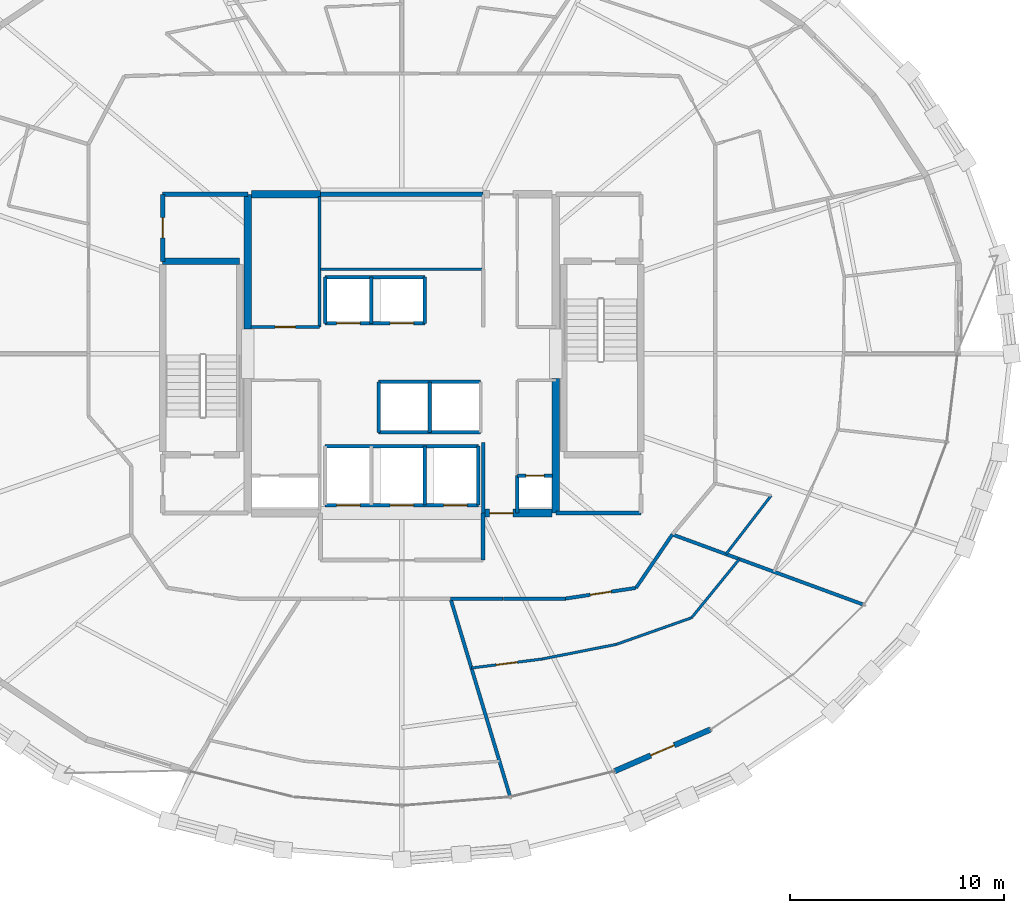
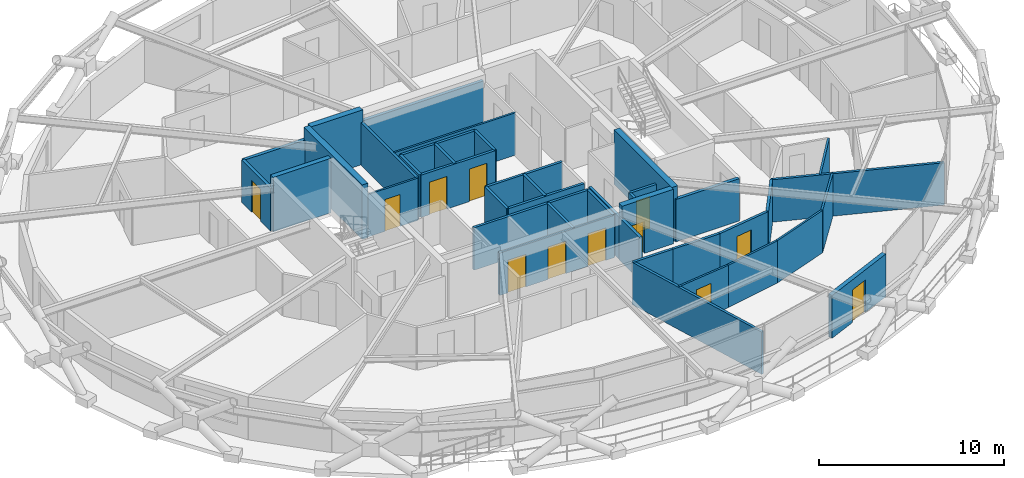
# One storey, part 15 of 21: 41 walls, 12 doors, 12 openings.
"""IFC4 building model written with IfcOpenShell, lengths in metres."""

from ifc_helpers import new_model, si_unit, direction, frame, frame_2d, origin, place, context, subcontext, project, spatial, rectangle, extrude, material, layer, layer_set, type_object, element, fill, save


model = new_model("IFC4")

# Units and contexts
model_context = context("Model", 3, precision=1e-05, world=origin(), true_north=direction((0.0, 1.0)))
body_context = subcontext(model_context, "Body", "Model", "MODEL_VIEW")
ifc_project = project(units=[si_unit("LENGTHUNIT", "METRE"), si_unit("AREAUNIT", "SQUARE_METRE"), si_unit("VOLUMEUNIT", "CUBIC_METRE"), si_unit("PLANEANGLEUNIT", "RADIAN"), si_unit("MASSUNIT", "GRAM", prefix="KILO")], contexts=[model_context])

# Site, building, storey
site_placement = place(None, origin())
site = spatial("IfcSite", under=ifc_project, at=site_placement, CompositionType="ELEMENT")
building_placement = place(site_placement, origin())
building = spatial("IfcBuilding", under=site, at=building_placement, Name="Veldorina Hangang Commons", CompositionType="ELEMENT")
storey_placement = place(building_placement, frame((0.0, 0.0, 135.199951171875)))
storey = spatial("IfcBuildingStorey", under=building, at=storey_placement, Name="L34", CompositionType="ELEMENT", Elevation=135.199951171875)

# Walls
ifc_material_1 = material(Name="Concrete C60/75", Category="concrete")
ifc_layer_1 = layer(ifc_material_1, 0.360107421875)
ifc_layer_set_1 = layer_set([ifc_layer_1], Name="Concrete C60/75")
wall_type_1 = type_object("IfcWallType", Name="CW-RC360-C60", PredefinedType="SHEAR", material=ifc_layer_set_1)
for number, where, z_axis, x_axis, name in (
    (1, (24.800048828125, 25.14990234375, 0.0), (0.0, 0.0, 1.0), (0.0, 1.0, 0.0), "L34 W north core shear wall"),
    (2, (39.199951171875, 16.550048828125, 0.0), (0.0, 0.0, 1.0), (0.0, 1.0, 0.0), "L34 E south core shear wall"),
):
    element("IfcWall", number, at=place(storey_placement, frame(where, z_axis=z_axis, x_axis=x_axis)), inside=storey, type_object=wall_type_1, Name=name, PredefinedType="SHEAR", context=body_context, shape_type="SweptSolid", body=[
        extrude(rectangle(XDim=6.300048828125, YDim=0.360107421875, at=frame_2d((3.14990234375, 0.0))), origin(), (0.0, 0.0, 1.0), 3.60009765625),
    ])

# Wall, opening, door
wall_1_placement = place(storey_placement, frame((35.800048828125, 16.550048828125, 0.0), z_axis=(0.0, 0.0, 1.0), x_axis=(1.0, 0.0, 0.0)))
wall_1 = element("IfcWall", 3, at=wall_1_placement, inside=storey, type_object=wall_type_1, Name="L34 south-east core shear wall", PredefinedType="SHEAR", context=body_context, shape_type="SweptSolid", body=[
    extrude(rectangle(XDim=3.219970703125, YDim=0.360107421875, at=frame_2d((1.60986328125, 0.0))), origin(), (0.0, 0.0, 1.0), 3.60009765625),
])
opening_1_placement = place(wall_1_placement, frame((0.300048828125, 0.0, 0.0)))
opening_1 = element("IfcOpeningElement", 4, at=opening_1_placement, cuts=wall_1, Name="Opening D-08", PredefinedType="OPENING", context=body_context, shape_type="SweptSolid", body=[
    extrude(rectangle(XDim=1.10009765625, YDim=2.10009765625, at=frame_2d((0.550048828125, 1.050048828125))), frame((0.0, 0.18994140625, 0.0), z_axis=(0.0, -1.0, 0.0), x_axis=(1.0, 0.0, 0.0)), (0.0, 0.0, 1.0), 0.380126953125),
])
ifc_material_2 = material(Name="Steel Fire-Rated Smoke Seal", Category="steel")
door_type_1 = type_object("IfcDoorType", Name="DR-FIRE-1100", OperationType="SINGLE_SWING_RIGHT", PredefinedType="DOOR", material=ifc_material_2)
door_1_placement = place(opening_1_placement, origin())
door_1 = element("IfcDoor", 5, at=door_1_placement, inside=storey, type_object=door_type_1, Name="L34 central lift lobby south corridor door", OperationType="SINGLE_SWING_RIGHT", OverallHeight=2.10009765625, OverallWidth=1.10009765625, PredefinedType="DOOR", context=body_context, shape_type="SweptSolid", body=[
    extrude(rectangle(XDim=1.10009765625, YDim=2.10009765625, at=frame_2d((0.550048828125, 1.050048828125))), frame((0.0, 0.02490234375, 0.0), z_axis=(0.0, -1.0, 0.0), x_axis=(1.0, 0.0, 0.0)), (0.0, 0.0, 1.0), 0.050048828125),
])
fill(opening_1, door_1)

# Wall
wall_2_placement = place(storey_placement, frame((24.97998046875, 31.449951171875, 0.0), z_axis=(0.0, 0.0, 1.0), x_axis=(1.0, 0.0, 0.0)))
element("IfcWall", 6, at=wall_2_placement, inside=storey, type_object=wall_type_1, Name="L34 north-west core shear wall", PredefinedType="SHEAR", context=body_context, shape_type="SweptSolid", body=[
    extrude(rectangle(XDim=3.219970703125, YDim=0.360107421875, at=frame_2d((1.60986328125, 0.0))), origin(), (0.0, 0.0, 1.0), 3.60009765625),
])

# Wall, opening, door
ifc_material_3 = material(Name="Stone Roman Travertine", Category="masonry")
ifc_layer_2 = layer(ifc_material_3, 0.260009765625)
ifc_layer_set_2 = layer_set([ifc_layer_2], Name="Stone Roman Travertine")
wall_type_2 = type_object("IfcWallType", Name="EW-LOGGIA-260", PredefinedType="STANDARD", material=ifc_layer_set_2)
wall_3_placement = place(storey_placement, frame((41.942626953125, 4.4775390625, 0.0), z_axis=(0.0, 0.0, 1.0), x_axis=(0.917072433644, 0.39872064337, 0.0)))
wall_3 = element("IfcWall", 7, at=wall_3_placement, inside=storey, type_object=wall_type_2, Name="L34 sky-garden loggia portal wall 26", PredefinedType="STANDARD", context=body_context, shape_type="SweptSolid", body=[
    extrude(rectangle(XDim=4.89794921875, YDim=0.260009765625, at=frame_2d((2.448974609375, 0.0))), origin(), (0.0, 0.0, 1.0), 2.820068359375),
])
opening_2_placement = place(wall_3_placement, frame((1.848876953125, 0.0, 0.0)))
opening_2 = element("IfcOpeningElement", 8, at=opening_2_placement, cuts=wall_3, Name="Opening BD-1200", PredefinedType="OPENING", context=body_context, shape_type="SweptSolid", body=[
    extrude(rectangle(XDim=1.199951171875, YDim=2.14990234375, at=frame_2d((0.60009765625, 1.074951171875))), frame((0.0, 0.14013671875, 0.0), z_axis=(0.0, -1.0, 0.0), x_axis=(1.0, 0.0, 0.0)), (0.0, 0.0, 1.0), 0.280029296875),
])
ifc_material_4 = material(Name="Glass Thermal Aluminium Frame", Category="aluminium")
door_type_2 = type_object("IfcDoorType", Name="DR-EXT-LOG1200", OperationType="SINGLE_SWING_LEFT", PredefinedType="DOOR", material=ifc_material_4)
door_2_placement = place(opening_2_placement, origin())
door_2 = element("IfcDoor", 9, at=door_2_placement, inside=storey, type_object=door_type_2, Name="L34 loggia glazed exterior door 26", OperationType="SINGLE_SWING_LEFT", OverallHeight=2.14990234375, OverallWidth=1.199951171875, PredefinedType="DOOR", context=body_context, shape_type="SweptSolid", body=[
    extrude(rectangle(XDim=1.199951171875, YDim=2.14990234375, at=frame_2d((0.60009765625, 1.074951171875))), frame((0.0, 0.02490234375, 0.0), z_axis=(0.0, -1.0, 0.0), x_axis=(1.0, 0.0, 0.0)), (0.0, 0.0, 1.0), 0.050048828125),
])
fill(opening_2, door_2)

# Walls
ifc_material_5 = material(Name="Concrete C50/60", Category="concrete")
ifc_layer_3 = layer(ifc_material_5, 0.300048828125)
ifc_layer_set_3 = layer_set([ifc_layer_3], Name="Concrete C50/60")
wall_type_3 = type_object("IfcWallType", Name="SW-STAIR-300", PredefinedType="SHEAR", material=ifc_layer_set_3)
wall_4_placement = place(storey_placement, frame((20.820068359375, 28.320068359375, 0.0), z_axis=(0.0, 0.0, 1.0), x_axis=(1.0, 0.0, 0.0)))
element("IfcWall", 10, at=wall_4_placement, inside=storey, type_object=wall_type_3, Name="L34 ST1 north stair shear wall", PredefinedType="SHEAR", context=body_context, shape_type="SweptSolid", body=[
    extrude(rectangle(XDim=3.599853515625, YDim=0.300048828125, at=frame_2d((1.7998046875, 0.0))), origin(), (0.0, 0.0, 1.0), 3.60009765625),
])
ifc_material_6 = material(Name="Gypsum Fire-Rated Twin Stud Wall", Category="gypsum")
ifc_layer_4 = layer(ifc_material_6, 0.159912109375)
ifc_layer_set_4 = layer_set([ifc_layer_4], Name="Gypsum Fire-Rated Twin Stud Wall")
wall_type_4 = type_object("IfcWallType", Name="WL-FIRE-160", PredefinedType="SOLIDWALL", material=ifc_layer_set_4)
wall_5_placement = place(storey_placement, frame((35.800048828125, 16.550048828125, 0.0), z_axis=(0.0, 0.0, 1.0), x_axis=(0.0, 1.0, 0.0)))
element("IfcWall", 11, at=wall_5_placement, inside=storey, type_object=wall_type_4, Name="L34 Lift passage SW wall 009", PredefinedType="SOLIDWALL", context=body_context, shape_type="SweptSolid", body=[
    extrude(rectangle(XDim=3.300048828125, YDim=0.159912109375, at=frame_2d((1.64990234375, 0.0))), origin(), (0.0, 0.0, 1.0), 2.800048828125),
])
wall_6_placement = place(storey_placement, frame((37.39990234375, 16.550048828125, 0.0), z_axis=(0.0, 0.0, 1.0), x_axis=(0.0, 1.0, 0.0)))
element("IfcWall", 12, at=wall_6_placement, inside=storey, type_object=wall_type_4, Name="L34 Lift passage SE stub 010", PredefinedType="SOLIDWALL", context=body_context, shape_type="SweptSolid", body=[
    extrude(rectangle(XDim=1.75, YDim=0.159912109375, at=frame_2d((0.875, 0.0))), origin(), (0.0, 0.0, 1.0), 2.800048828125),
])

# Wall, openings, doors
wall_7_placement = place(storey_placement, frame((28.419921875, 25.419921875, 0.0), z_axis=(0.0, 0.0, 1.0), x_axis=(1.0, 0.0, 0.0)))
wall_7 = element("IfcWall", 13, at=wall_7_placement, inside=storey, type_object=wall_type_4, Name="L34 Mid-high front shaft wall 015", PredefinedType="SOLIDWALL", context=body_context, shape_type="SweptSolid", body=[
    extrude(rectangle(XDim=4.66015625, YDim=0.159912109375, at=frame_2d((2.330078125, 0.0))), origin(), (0.0, 0.0, 1.0), 2.800048828125),
])
opening_3_placement = place(wall_7_placement, frame((0.530029296875, 0.0, 0.0)))
opening_3 = element("IfcOpeningElement", 14, at=opening_3_placement, cuts=wall_7, Name="Opening LD-01", PredefinedType="OPENING", context=body_context, shape_type="SweptSolid", body=[
    extrude(rectangle(XDim=1.10009765625, YDim=2.14990234375, at=frame_2d((0.550048828125, 1.074951171875))), frame((0.0, 0.08984375, 0.0), z_axis=(0.0, -1.0, 0.0), x_axis=(1.0, 0.0, 0.0)), (0.0, 0.0, 1.0), 0.179931640625),
])
opening_4_placement = place(wall_7_placement, frame((3.030029296875, 0.0, 0.0)))
opening_4 = element("IfcOpeningElement", 15, at=opening_4_placement, cuts=wall_7, Name="Opening LD-01", PredefinedType="OPENING", context=body_context, shape_type="SweptSolid", body=[
    extrude(rectangle(XDim=1.10009765625, YDim=2.14990234375, at=frame_2d((0.550048828125, 1.074951171875))), frame((0.0, 0.08984375, 0.0), z_axis=(0.0, -1.0, 0.0), x_axis=(1.0, 0.0, 0.0)), (0.0, 0.0, 1.0), 0.179931640625),
])
ifc_material_7 = material(Name="Stainless Steel Brushed Lift Door", Category="steel")
door_type_3 = type_object("IfcDoorType", Name="DR-LIFT-1100", OperationType="SLIDING_TO_LEFT", PredefinedType="DOOR", material=ifc_material_7)
door_3_placement = place(opening_3_placement, origin())
door_3 = element("IfcDoor", 16, at=door_3_placement, inside=storey, type_object=door_type_3, Name="L34 Lift PL-M1 landing door 006", OperationType="SLIDING_TO_RIGHT", OverallHeight=2.14990234375, OverallWidth=1.10009765625, PredefinedType="DOOR", context=body_context, shape_type="SweptSolid", body=[
    extrude(rectangle(XDim=1.10009765625, YDim=2.14990234375, at=frame_2d((0.550048828125, 1.074951171875))), frame((0.0, 0.02490234375, 0.0), z_axis=(0.0, -1.0, 0.0), x_axis=(1.0, 0.0, 0.0)), (0.0, 0.0, 1.0), 0.050048828125),
])
fill(opening_3, door_3)
door_4_placement = place(opening_4_placement, origin())
door_4 = element("IfcDoor", 17, at=door_4_placement, inside=storey, type_object=door_type_3, Name="L34 Lift PL-M2 landing door 007", OperationType="SLIDING_TO_RIGHT", OverallHeight=2.14990234375, OverallWidth=1.10009765625, PredefinedType="DOOR", context=body_context, shape_type="SweptSolid", body=[
    extrude(rectangle(XDim=1.10009765625, YDim=2.14990234375, at=frame_2d((0.550048828125, 1.074951171875))), frame((0.0, 0.02490234375, 0.0), z_axis=(0.0, -1.0, 0.0), x_axis=(1.0, 0.0, 0.0)), (0.0, 0.0, 1.0), 0.050048828125),
])
fill(opening_4, door_4)

# Walls
wall_8_placement = place(storey_placement, frame((28.419921875, 27.580078125, 0.0), z_axis=(0.0, 0.0, 1.0), x_axis=(1.0, 0.0, 0.0)))
element("IfcWall", 18, at=wall_8_placement, inside=storey, type_object=wall_type_4, Name="L34 Mid-high rear shaft wall 016", PredefinedType="SOLIDWALL", context=body_context, shape_type="SweptSolid", body=[
    extrude(rectangle(XDim=4.66015625, YDim=0.159912109375, at=frame_2d((2.330078125, 0.0))), origin(), (0.0, 0.0, 1.0), 2.800048828125),
])
for number, where, z_axis, x_axis, name in (
    (19, (28.419921875, 25.419921875, 0.0), (0.0, 0.0, 1.0), (0.0, 1.0, 0.0), "L34 PL-M1 west shaft wall 017"),
    (20, (30.580078125, 25.419921875, 0.0), (0.0, 0.0, 1.0), (0.0, 1.0, 0.0), "L34 PL-M1 east shaft wall 018"),
    (21, (33.080078125, 25.419921875, 0.0), (0.0, 0.0, 1.0), (0.0, 1.0, 0.0), "L34 PL-M2 east shaft wall 019"),
):
    element("IfcWall", number, at=place(storey_placement, frame(where, z_axis=z_axis, x_axis=x_axis)), inside=storey, type_object=wall_type_4, Name=name, PredefinedType="SOLIDWALL", context=body_context, shape_type="SweptSolid", body=[
        extrude(rectangle(XDim=2.16015625, YDim=0.159912109375, at=frame_2d((1.080078125, 0.0))), origin(), (0.0, 0.0, 1.0), 2.800048828125),
    ])
for number, where, z_axis, x_axis, name in (
    (22, (30.919921875, 22.679931640625, 0.0), (0.0, 0.0, 1.0), (1.0, 0.0, 0.0), "L34 Shuttle-high front shaft wall 020"),
    (23, (30.919921875, 20.320068359375, 0.0), (0.0, 0.0, 1.0), (1.0, 0.0, 0.0), "L34 Shuttle-high rear shaft wall 021"),
):
    element("IfcWall", number, at=place(storey_placement, frame(where, z_axis=z_axis, x_axis=x_axis)), inside=storey, type_object=wall_type_4, Name=name, PredefinedType="SOLIDWALL", context=body_context, shape_type="SweptSolid", body=[
        extrude(rectangle(XDim=4.760009765625, YDim=0.159912109375, at=frame_2d((2.3798828125, 0.0))), origin(), (0.0, 0.0, 1.0), 2.800048828125),
    ])
for number, where, z_axis, x_axis, name in (
    (24, (30.919921875, 20.320068359375, 0.0), (0.0, 0.0, 1.0), (0.0, 1.0, 0.0), "L34 SL-1 west shaft wall 022"),
    (25, (33.300048828125, 20.320068359375, 0.0), (0.0, 0.0, 1.0), (0.0, 1.0, 0.0), "L34 SL-1 east shaft wall 023"),
):
    element("IfcWall", number, at=place(storey_placement, frame(where, z_axis=z_axis, x_axis=x_axis)), inside=storey, type_object=wall_type_4, Name=name, PredefinedType="SOLIDWALL", context=body_context, shape_type="SweptSolid", body=[
        extrude(rectangle(XDim=2.35986328125, YDim=0.159912109375, at=frame_2d((1.179931640625, 0.0))), origin(), (0.0, 0.0, 1.0), 2.800048828125),
    ])

# Wall, openings, doors
wall_9_placement = place(storey_placement, frame((28.419921875, 16.919921875, 0.0), z_axis=(0.0, 0.0, 1.0), x_axis=(1.0, 0.0, 0.0)))
wall_9 = element("IfcWall", 26, at=wall_9_placement, inside=storey, type_object=wall_type_4, Name="L34 Emergency front shaft wall 025", PredefinedType="SOLIDWALL", context=body_context, shape_type="SweptSolid", body=[
    extrude(rectangle(XDim=7.16015625, YDim=0.159912109375, at=frame_2d((3.580078125, 0.0))), origin(), (0.0, 0.0, 1.0), 2.800048828125),
])
opening_5_placement = place(wall_9_placement, frame((0.530029296875, 0.0, 0.0)))
opening_5 = element("IfcOpeningElement", 27, at=opening_5_placement, cuts=wall_9, Name="Opening LD-03", PredefinedType="OPENING", context=body_context, shape_type="SweptSolid", body=[
    extrude(rectangle(XDim=1.10009765625, YDim=2.14990234375, at=frame_2d((0.550048828125, 1.074951171875))), frame((0.0, 0.08984375, 0.0), z_axis=(0.0, -1.0, 0.0), x_axis=(1.0, 0.0, 0.0)), (0.0, 0.0, 1.0), 0.179931640625),
])
opening_6_placement = place(wall_9_placement, frame((3.030029296875, 0.0, 0.0)))
opening_6 = element("IfcOpeningElement", 28, at=opening_6_placement, cuts=wall_9, Name="Opening LD-03", PredefinedType="OPENING", context=body_context, shape_type="SweptSolid", body=[
    extrude(rectangle(XDim=1.10009765625, YDim=2.14990234375, at=frame_2d((0.550048828125, 1.074951171875))), frame((0.0, 0.08984375, 0.0), z_axis=(0.0, -1.0, 0.0), x_axis=(1.0, 0.0, 0.0)), (0.0, 0.0, 1.0), 0.179931640625),
])
opening_7_placement = place(wall_9_placement, frame((5.530029296875, 0.0, 0.0)))
opening_7 = element("IfcOpeningElement", 29, at=opening_7_placement, cuts=wall_9, Name="Opening LD-03", PredefinedType="OPENING", context=body_context, shape_type="SweptSolid", body=[
    extrude(rectangle(XDim=1.10009765625, YDim=2.14990234375, at=frame_2d((0.550048828125, 1.074951171875))), frame((0.0, 0.08984375, 0.0), z_axis=(0.0, -1.0, 0.0), x_axis=(1.0, 0.0, 0.0)), (0.0, 0.0, 1.0), 0.179931640625),
])
ifc_material_8 = material(Name="Stainless Steel Firefighting Lift Door", Category="steel")
door_type_4 = type_object("IfcDoorType", Name="DR-LIFT-FF1100", OperationType="SLIDING_TO_RIGHT", PredefinedType="DOOR", material=ifc_material_8)
door_5_placement = place(opening_5_placement, origin())
door_5 = element("IfcDoor", 30, at=door_5_placement, inside=storey, type_object=door_type_4, Name="L34 Emergency lift FFL-1 landing door 008", OperationType="SLIDING_TO_RIGHT", OverallHeight=2.14990234375, OverallWidth=1.10009765625, PredefinedType="DOOR", context=body_context, shape_type="SweptSolid", body=[
    extrude(rectangle(XDim=1.10009765625, YDim=2.14990234375, at=frame_2d((0.550048828125, 1.074951171875))), frame((0.0, 0.02490234375, 0.0), z_axis=(0.0, -1.0, 0.0), x_axis=(1.0, 0.0, 0.0)), (0.0, 0.0, 1.0), 0.050048828125),
])
fill(opening_5, door_5)
door_6_placement = place(opening_6_placement, origin())
door_6 = element("IfcDoor", 31, at=door_6_placement, inside=storey, type_object=door_type_4, Name="L34 Emergency lift FFL-2 landing door 009", OperationType="SLIDING_TO_RIGHT", OverallHeight=2.14990234375, OverallWidth=1.10009765625, PredefinedType="DOOR", context=body_context, shape_type="SweptSolid", body=[
    extrude(rectangle(XDim=1.10009765625, YDim=2.14990234375, at=frame_2d((0.550048828125, 1.074951171875))), frame((0.0, 0.02490234375, 0.0), z_axis=(0.0, -1.0, 0.0), x_axis=(1.0, 0.0, 0.0)), (0.0, 0.0, 1.0), 0.050048828125),
])
fill(opening_6, door_6)
door_7_placement = place(opening_7_placement, origin())
door_7 = element("IfcDoor", 32, at=door_7_placement, inside=storey, type_object=door_type_4, Name="L34 Emergency lift EVL-1 landing door 010", OperationType="SLIDING_TO_RIGHT", OverallHeight=2.14990234375, OverallWidth=1.10009765625, PredefinedType="DOOR", context=body_context, shape_type="SweptSolid", body=[
    extrude(rectangle(XDim=1.10009765625, YDim=2.14990234375, at=frame_2d((0.550048828125, 1.074951171875))), frame((0.0, 0.02490234375, 0.0), z_axis=(0.0, -1.0, 0.0), x_axis=(1.0, 0.0, 0.0)), (0.0, 0.0, 1.0), 0.050048828125),
])
fill(opening_7, door_7)

# Walls
wall_10_placement = place(storey_placement, frame((28.419921875, 19.679931640625, 0.0), z_axis=(0.0, 0.0, 1.0), x_axis=(1.0, 0.0, 0.0)))
element("IfcWall", 33, at=wall_10_placement, inside=storey, type_object=wall_type_4, Name="L34 Emergency rear shaft wall 026", PredefinedType="SOLIDWALL", context=body_context, shape_type="SweptSolid", body=[
    extrude(rectangle(XDim=7.16015625, YDim=0.159912109375, at=frame_2d((3.580078125, 0.0))), origin(), (0.0, 0.0, 1.0), 2.800048828125),
])
for number, where, z_axis, x_axis, name in (
    (34, (33.080078125, 16.919921875, 0.0), (0.0, 0.0, 1.0), (0.0, 1.0, 0.0), "L34 FFL-2 east shaft wall 029"),
    (35, (35.580078125, 16.919921875, 0.0), (0.0, 0.0, 1.0), (0.0, 1.0, 0.0), "L34 EVL-1 east shaft wall 030"),
):
    element("IfcWall", number, at=place(storey_placement, frame(where, z_axis=z_axis, x_axis=x_axis)), inside=storey, type_object=wall_type_4, Name=name, PredefinedType="SOLIDWALL", context=body_context, shape_type="SweptSolid", body=[
        extrude(rectangle(XDim=2.760009765625, YDim=0.159912109375, at=frame_2d((1.3798828125, 0.0))), origin(), (0.0, 0.0, 1.0), 2.800048828125),
    ])

# Wall, opening, door
wall_11_placement = place(storey_placement, frame((37.39990234375, 18.300048828125, 0.0), z_axis=(0.0, 0.0, 1.0), x_axis=(1.0, 0.0, 0.0)))
wall_11 = element("IfcWall", 36, at=wall_11_placement, inside=storey, type_object=wall_type_4, Name="L34 Plumbing riser wall 036", PredefinedType="SOLIDWALL", context=body_context, shape_type="SweptSolid", body=[
    extrude(rectangle(XDim=1.650146484375, YDim=0.159912109375, at=frame_2d((0.8251953125, 0.0))), origin(), (0.0, 0.0, 1.0), 2.800048828125),
])
opening_8_placement = place(wall_11_placement, frame((0.39501953125, 0.0, 0.0)))
opening_8 = element("IfcOpeningElement", 37, at=opening_8_placement, cuts=wall_11, Name="Opening D-01N", PredefinedType="OPENING", context=body_context, shape_type="SweptSolid", body=[
    extrude(rectangle(XDim=0.860107421875, YDim=2.10009765625, at=frame_2d((0.43017578125, 1.050048828125))), frame((0.0, 0.08984375, 0.0), z_axis=(0.0, -1.0, 0.0), x_axis=(1.0, 0.0, 0.0)), (0.0, 0.0, 1.0), 0.179931640625),
])
ifc_material_9 = material(Name="Timber Fire-Rated Core", Category="wood")
door_type_5 = type_object("IfcDoorType", Name="DR-INT-860", OperationType="SINGLE_SWING_LEFT", PredefinedType="DOOR", material=ifc_material_9)
door_8_placement = place(opening_8_placement, origin())
door_8 = element("IfcDoor", 38, at=door_8_placement, inside=storey, type_object=door_type_5, Name="L34 Plumbing riser access door 013", OperationType="SINGLE_SWING_LEFT", OverallHeight=2.10009765625, OverallWidth=0.860107421875, PredefinedType="TRAPDOOR", context=body_context, shape_type="SweptSolid", body=[
    extrude(rectangle(XDim=0.860107421875, YDim=2.10009765625, at=frame_2d((0.43017578125, 1.050048828125))), frame((0.0, 0.02490234375, 0.0), z_axis=(0.0, -1.0, 0.0), x_axis=(1.0, 0.0, 0.0)), (0.0, 0.0, 1.0), 0.050048828125),
])
fill(opening_8, door_8)

# Walls
wall_12_placement = place(storey_placement, frame((28.14990234375, 25.25, 0.0), z_axis=(0.0, 0.0, 1.0), x_axis=(0.0, 1.0, 0.0)))
element("IfcWall", 39, at=wall_12_placement, inside=storey, type_object=wall_type_4, Name="L34 NW core inner wall 037", PredefinedType="SOLIDWALL", context=body_context, shape_type="SweptSolid", body=[
    extrude(rectangle(XDim=6.10009765625, YDim=0.159912109375, at=frame_2d((3.050048828125, 0.0))), origin(), (0.0, 0.0, 1.0), 2.800048828125),
])
wall_13_placement = place(storey_placement, frame((34.277587890625, 12.550048828125, 0.0), z_axis=(0.0, 0.0, 1.0), x_axis=(1.0, 0.0, 0.0)))
element("IfcWall", 40, at=wall_13_placement, inside=storey, type_object=wall_type_4, Name="L34 U-corridor outer wall 25 069", PredefinedType="SOLIDWALL", context=body_context, shape_type="SweptSolid", body=[
    extrude(rectangle(XDim=2.465087890625, YDim=0.159912109375, at=frame_2d((1.232421875, 0.0))), origin(), (0.0, 0.0, 1.0), 2.800048828125),
])
wall_14_placement = place(storey_placement, frame((36.74267578125, 12.550048828125, 0.0), z_axis=(0.0, 0.0, 1.0), x_axis=(1.0, 0.0, 0.0)))
element("IfcWall", 41, at=wall_14_placement, inside=storey, type_object=wall_type_4, Name="L34 U-corridor outer wall 26 070", PredefinedType="SOLIDWALL", context=body_context, shape_type="SweptSolid", body=[
    extrude(rectangle(XDim=2.907958984375, YDim=0.159912109375, at=frame_2d((1.4541015625, 0.0))), origin(), (0.0, 0.0, 1.0), 2.800048828125),
])

# Wall, opening, door
wall_15_placement = place(storey_placement, frame((39.650634765625, 12.550048828125, 0.0), z_axis=(0.0, 0.0, 1.0), x_axis=(0.988710906508, 0.149835721217, 0.0)))
wall_15 = element("IfcWall", 42, at=wall_15_placement, inside=storey, type_object=wall_type_4, Name="L34 U-corridor outer wall 27 071", PredefinedType="SOLIDWALL", context=body_context, shape_type="SweptSolid", body=[
    extrude(rectangle(XDim=3.3369140625, YDim=0.159912109375, at=frame_2d((1.66845703125, 0.0))), origin(), (0.0, 0.0, 1.0), 2.800048828125),
])
opening_9_placement = place(wall_15_placement, frame((1.16845703125, 0.0, 0.0)))
opening_9 = element("IfcOpeningElement", 43, at=opening_9_placement, cuts=wall_15, Name="Opening D-05", PredefinedType="OPENING", context=body_context, shape_type="SweptSolid", body=[
    extrude(rectangle(XDim=1.0, YDim=2.10009765625, at=frame_2d((0.5, 1.050048828125))), frame((0.0, 0.08984375, 0.0), z_axis=(0.0, -1.0, 0.0), x_axis=(1.0, 0.0, 0.0)), (0.0, 0.0, 1.0), 0.179931640625),
])
ifc_material_10 = material(Name="Timber Solid Core Acoustic", Category="wood")
door_type_6 = type_object("IfcDoorType", Name="DR-INT-1000", OperationType="SINGLE_SWING_RIGHT", PredefinedType="DOOR", material=ifc_material_10)
door_9_placement = place(opening_9_placement, origin())
door_9 = element("IfcDoor", 44, at=door_9_placement, inside=storey, type_object=door_type_6, Name="L34 Commons alcove door 018", OperationType="SINGLE_SWING_RIGHT", OverallHeight=2.10009765625, OverallWidth=1.0, PredefinedType="DOOR", context=body_context, shape_type="SweptSolid", body=[
    extrude(rectangle(XDim=1.0, YDim=2.10009765625, at=frame_2d((0.5, 1.050048828125))), frame((0.0, 0.02490234375, 0.0), z_axis=(0.0, -1.0, 0.0), x_axis=(1.0, 0.0, 0.0)), (0.0, 0.0, 1.0), 0.050048828125),
])
fill(opening_9, door_9)

# Walls
wall_16_placement = place(storey_placement, frame((42.949951171875, 13.050048828125, 0.0), z_axis=(0.0, 0.0, 1.0), x_axis=(0.562674669208, 0.826678423955, 0.0)))
element("IfcWall", 45, at=wall_16_placement, inside=storey, type_object=wall_type_4, Name="L34 U-corridor outer wall 28 072", PredefinedType="SOLIDWALL", context=body_context, shape_type="SweptSolid", body=[
    extrude(rectangle(XDim=3.021240234375, YDim=0.159912109375, at=frame_2d((1.5107421875, 0.0))), origin(), (0.0, 0.0, 1.0), 2.800048828125),
])
wall_17_placement = place(storey_placement, frame((34.277587890625, 12.550048828125, 0.0), z_axis=(0.0, 0.0, 1.0), x_axis=(0.288156704698, -0.957583267156, 0.0)))
element("IfcWall", 46, at=wall_17_placement, inside=storey, type_object=wall_type_4, Name="L34 Unit party wall 25 076", PredefinedType="SOLIDWALL", context=body_context, shape_type="SweptSolid", body=[
    extrude(rectangle(XDim=9.6357421875, YDim=0.159912109375, at=frame_2d((4.81787109375, 0.0))), origin(), (0.0, 0.0, 1.0), 2.800048828125),
])
wall_18_placement = place(storey_placement, frame((44.64990234375, 15.547607421875, 0.0), z_axis=(0.0, 0.0, 1.0), x_axis=(0.938723462169, -0.344671236939, 0.0)))
element("IfcWall", 47, at=wall_18_placement, inside=storey, type_object=wall_type_4, Name="L34 Unit party wall 29 081", PredefinedType="SOLIDWALL", context=body_context, shape_type="SweptSolid", body=[
    extrude(rectangle(XDim=9.4873046875, YDim=0.159912109375, at=frame_2d((4.74365234375, 0.0))), origin(), (0.0, 0.0, 1.0), 2.800048828125),
])

# Wall, opening, door
ifc_material_11 = material(Name="Concrete Blockwork Fire Wall C30/37", Category="masonry")
ifc_layer_5 = layer(ifc_material_11, 0.199951171875)
ifc_layer_set_5 = layer_set([ifc_layer_5], Name="Concrete Blockwork Fire Wall C30/37")
wall_type_5 = type_object("IfcWallType", Name="WL-FIRE-200", PredefinedType="SOLIDWALL", material=ifc_layer_set_5)
wall_19_placement = place(storey_placement, frame((20.820068359375, 28.320068359375, 0.0), z_axis=(0.0, 0.0, 1.0), x_axis=(0.0, 1.0, 0.0)))
wall_19 = element("IfcWall", 48, at=wall_19_placement, inside=storey, type_object=wall_type_5, Name="L34 NW core room outer wall 005", PredefinedType="SOLIDWALL", context=body_context, shape_type="SweptSolid", body=[
    extrude(rectangle(XDim=3.1298828125, YDim=0.199951171875, at=frame_2d((1.56494140625, 0.0))), origin(), (0.0, 0.0, 1.0), 2.800048828125),
])
opening_10_placement = place(wall_19_placement, frame((1.090087890625, 0.0, 0.0)))
opening_10 = element("IfcOpeningElement", 49, at=opening_10_placement, cuts=wall_19, Name="Opening D-04", PredefinedType="OPENING", context=body_context, shape_type="SweptSolid", body=[
    extrude(rectangle(XDim=0.949951171875, YDim=2.10009765625, at=frame_2d((0.47509765625, 1.050048828125))), frame((0.0, 0.10986328125, 0.0), z_axis=(0.0, -1.0, 0.0), x_axis=(1.0, 0.0, 0.0)), (0.0, 0.0, 1.0), 0.219970703125),
])
ifc_material_12 = material(Name="Timber Accessible Flush Leaf", Category="wood")
door_type_7 = type_object("IfcDoorType", Name="DR-ACC-950", OperationType="SINGLE_SWING_LEFT", PredefinedType="DOOR", material=ifc_material_12)
door_10_placement = place(opening_10_placement, origin())
door_10 = element("IfcDoor", 50, at=door_10_placement, inside=storey, type_object=door_type_7, Name="L34 NW core WC door 003", OperationType="SINGLE_SWING_LEFT", OverallHeight=2.10009765625, OverallWidth=0.949951171875, PredefinedType="DOOR", context=body_context, shape_type="SweptSolid", body=[
    extrude(rectangle(XDim=0.949951171875, YDim=2.10009765625, at=frame_2d((0.47509765625, 1.050048828125))), frame((0.0, 0.02490234375, 0.0), z_axis=(0.0, -1.0, 0.0), x_axis=(1.0, 0.0, 0.0)), (0.0, 0.0, 1.0), 0.050048828125),
])
fill(opening_10, door_10)

# Walls
for number, where, z_axis, x_axis, name in (
    (51, (20.820068359375, 31.449951171875, 0.0), (0.0, 0.0, 1.0), (1.0, 0.0, 0.0), "L34 NW core room north wall 006"),
    (52, (39.199951171875, 16.550048828125, 0.0), (0.0, 0.0, 1.0), (1.0, 0.0, 0.0), "L34 SE core room south wall 008"),
):
    element("IfcWall", number, at=place(storey_placement, frame(where, z_axis=z_axis, x_axis=x_axis)), inside=storey, type_object=wall_type_5, Name=name, PredefinedType="SOLIDWALL", context=body_context, shape_type="SweptSolid", body=[
        extrude(rectangle(XDim=3.97998046875, YDim=0.199951171875, at=frame_2d((1.989990234375, 0.0))), origin(), (0.0, 0.0, 1.0), 2.800048828125),
    ])
wall_20_placement = place(storey_placement, frame((35.800048828125, 14.35009765625, 0.0), z_axis=(0.0, 0.0, 1.0), x_axis=(0.0, 1.0, 0.0)))
element("IfcWall", 53, at=wall_20_placement, inside=storey, type_object=wall_type_5, Name="L34 FF lobby east wall 013", PredefinedType="SOLIDWALL", context=body_context, shape_type="SweptSolid", body=[
    extrude(rectangle(XDim=2.199951171875, YDim=0.199951171875, at=frame_2d((1.10009765625, 0.0))), origin(), (0.0, 0.0, 1.0), 2.800048828125),
])
wall_21_placement = place(storey_placement, frame((28.199951171875, 31.449951171875, 0.0), z_axis=(0.0, 0.0, 1.0), x_axis=(1.0, 0.0, 0.0)))
element("IfcWall", 54, at=wall_21_placement, inside=storey, type_object=wall_type_5, Name="L34 Merged north core wall 031", PredefinedType="SOLIDWALL", context=body_context, shape_type="SweptSolid", body=[
    extrude(rectangle(XDim=7.60009765625, YDim=0.199951171875, at=frame_2d((3.800048828125, 0.0))), origin(), (0.0, 0.0, 1.0), 2.800048828125),
])
ifc_material_13 = material(Name="Gypsum Acoustic Stud Partition", Category="gypsum")
ifc_layer_6 = layer(ifc_material_13, 0.1201171875)
ifc_layer_set_6 = layer_set([ifc_layer_6], Name="Gypsum Acoustic Stud Partition")
wall_type_6 = type_object("IfcWallType", Name="WL-PART-120", PredefinedType="PARTITIONING", material=ifc_layer_set_6)
wall_22_placement = place(storey_placement, frame((28.199951171875, 27.949951171875, 0.0), z_axis=(0.0, 0.0, 1.0), x_axis=(1.0, 0.0, 0.0)))
element("IfcWall", 55, at=wall_22_placement, inside=storey, type_object=wall_type_6, Name="L34 Merged north south wall 032", PredefinedType="PARTITIONING", context=body_context, shape_type="SweptSolid", body=[
    extrude(rectangle(XDim=7.60009765625, YDim=0.1201171875, at=frame_2d((3.800048828125, 0.0))), origin(), (0.0, 0.0, 1.0), 2.800048828125),
])

# Wall, opening, door
wall_23_placement = place(storey_placement, frame((24.949951171875, 25.25, 0.0), z_axis=(0.0, 0.0, 1.0), x_axis=(1.0, 0.0, 0.0)))
wall_23 = element("IfcWall", 56, at=wall_23_placement, inside=storey, type_object=wall_type_6, Name="L34 NW service south wall 038", PredefinedType="PARTITIONING", context=body_context, shape_type="SweptSolid", body=[
    extrude(rectangle(XDim=3.199951171875, YDim=0.1201171875, at=frame_2d((1.60009765625, 0.0))), origin(), (0.0, 0.0, 1.0), 2.800048828125),
])
opening_11_placement = place(wall_23_placement, frame((1.125, 0.0, 0.0)))
opening_11 = element("IfcOpeningElement", 57, at=opening_11_placement, cuts=wall_23, Name="Opening D-02", PredefinedType="OPENING", context=body_context, shape_type="SweptSolid", body=[
    extrude(rectangle(XDim=0.949951171875, YDim=2.10009765625, at=frame_2d((0.47509765625, 1.050048828125))), frame((0.0, 0.070068359375, 0.0), z_axis=(0.0, -1.0, 0.0), x_axis=(1.0, 0.0, 0.0)), (0.0, 0.0, 1.0), 0.14013671875),
])
door_type_8 = type_object("IfcDoorType", Name="DR-INT-950", OperationType="SINGLE_SWING_LEFT", PredefinedType="DOOR", material=ifc_material_10)
door_11_placement = place(opening_11_placement, origin())
door_11 = element("IfcDoor", 58, at=door_11_placement, inside=storey, type_object=door_type_8, Name="L34 Housekeeping store door 014", OperationType="SINGLE_SWING_RIGHT", OverallHeight=2.10009765625, OverallWidth=0.949951171875, PredefinedType="DOOR", context=body_context, shape_type="SweptSolid", body=[
    extrude(rectangle(XDim=0.949951171875, YDim=2.10009765625, at=frame_2d((0.47509765625, 1.050048828125))), frame((0.0, 0.02490234375, 0.0), z_axis=(0.0, -1.0, 0.0), x_axis=(1.0, 0.0, 0.0)), (0.0, 0.0, 1.0), 0.050048828125),
])
fill(opening_11, door_11)

wall_24_placement = place(storey_placement, frame((35.25439453125, 9.3037109375, 0.0), z_axis=(0.0, 0.0, 1.0), x_axis=(0.99200407845, 0.126205817375, 0.0)))
wall_24 = element("IfcWall", 59, at=wall_24_placement, inside=storey, type_object=wall_type_6, Name="L34 Lounge alcove split 0 077", PredefinedType="PARTITIONING", context=body_context, shape_type="SweptSolid", body=[
    extrude(rectangle(XDim=3.3349609375, YDim=0.1201171875, at=frame_2d((1.66748046875, 0.0))), origin(), (0.0, 0.0, 1.0), 2.800048828125),
])
opening_12_placement = place(wall_24_placement, frame((1.16748046875, 0.0, 0.0)))
opening_12 = element("IfcOpeningElement", 60, at=opening_12_placement, cuts=wall_24, Name="Opening D-05", PredefinedType="OPENING", context=body_context, shape_type="SweptSolid", body=[
    extrude(rectangle(XDim=1.0, YDim=2.10009765625, at=frame_2d((0.5, 1.050048828125))), frame((0.0, 0.070068359375, 0.0), z_axis=(0.0, -1.0, 0.0), x_axis=(1.0, 0.0, 0.0)), (0.0, 0.0, 1.0), 0.14013671875),
])
door_12_placement = place(opening_12_placement, origin())
door_12 = element("IfcDoor", 61, at=door_12_placement, inside=storey, type_object=door_type_6, Name="L34 Commons lounge door 019", OperationType="SINGLE_SWING_LEFT", OverallHeight=2.10009765625, OverallWidth=1.0, PredefinedType="DOOR", context=body_context, shape_type="SweptSolid", body=[
    extrude(rectangle(XDim=1.0, YDim=2.10009765625, at=frame_2d((0.5, 1.050048828125))), frame((0.0, 0.02490234375, 0.0), z_axis=(0.0, -1.0, 0.0), x_axis=(1.0, 0.0, 0.0)), (0.0, 0.0, 1.0), 0.050048828125),
])
fill(opening_12, door_12)

# Walls
wall_25_placement = place(storey_placement, frame((38.562744140625, 9.724609375, 0.0), z_axis=(0.0, 0.0, 1.0), x_axis=(0.981059326884, 0.193707504074, 0.0)))
element("IfcWall", 62, at=wall_25_placement, inside=storey, type_object=wall_type_6, Name="L34 Lounge alcove split 1 078", PredefinedType="PARTITIONING", context=body_context, shape_type="SweptSolid", body=[
    extrude(rectangle(XDim=3.529052734375, YDim=0.1201171875, at=frame_2d((1.7646484375, 0.0))), origin(), (0.0, 0.0, 1.0), 2.800048828125),
])
wall_26_placement = place(storey_placement, frame((42.02490234375, 10.408203125, 0.0), z_axis=(0.0, 0.0, 1.0), x_axis=(0.942879293263, 0.333134564908, 0.0)))
element("IfcWall", 63, at=wall_26_placement, inside=storey, type_object=wall_type_6, Name="L34 Lounge alcove split 2 079", PredefinedType="PARTITIONING", context=body_context, shape_type="SweptSolid", body=[
    extrude(rectangle(XDim=3.736083984375, YDim=0.1201171875, at=frame_2d((1.8681640625, 0.0))), origin(), (0.0, 0.0, 1.0), 2.800048828125),
])
wall_27_placement = place(storey_placement, frame((45.547607421875, 11.65283203125, 0.0), z_axis=(0.0, 0.0, 1.0), x_axis=(0.631651457384, 0.775252498471, 0.0)))
element("IfcWall", 64, at=wall_27_placement, inside=storey, type_object=wall_type_6, Name="L34 Lounge alcove split 3 080", PredefinedType="PARTITIONING", context=body_context, shape_type="SweptSolid", body=[
    extrude(rectangle(XDim=3.539794921875, YDim=0.1201171875, at=frame_2d((1.77001953125, 0.0))), origin(), (0.0, 0.0, 1.0), 2.800048828125),
])
wall_28_placement = place(storey_placement, frame((47.15673828125, 14.627197265625, 0.0), z_axis=(0.0, 0.0, 1.0), x_axis=(0.610617608408, 0.791925587604, 0.0)))
element("IfcWall", 65, at=wall_28_placement, inside=storey, type_object=wall_type_6, Name="L34 Cluster 2 bath front wall 082", PredefinedType="PARTITIONING", context=body_context, shape_type="SweptSolid", body=[
    extrude(rectangle(XDim=3.459228515625, YDim=0.1201171875, at=frame_2d((1.7294921875, 0.0))), origin(), (0.0, 0.0, 1.0), 2.800048828125),
])

save(model, "model.ifc")
